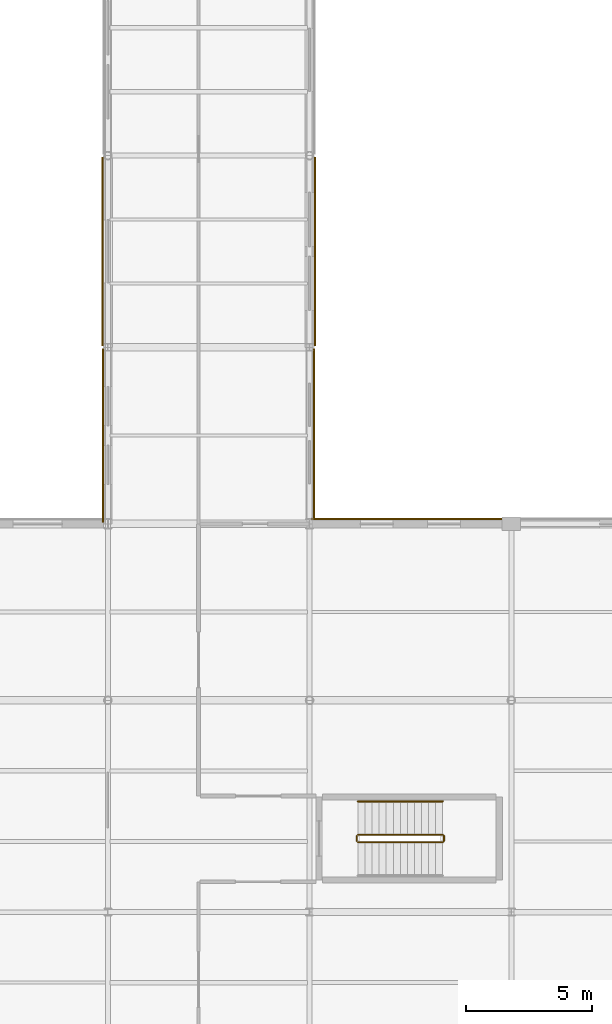
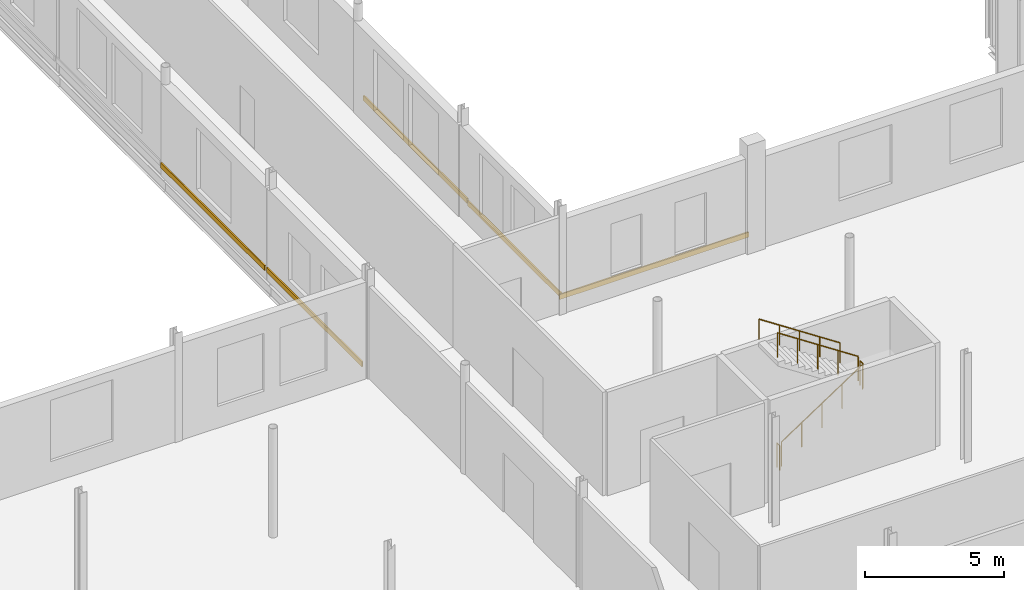
# One storey, part 112 of 120: 5 coverings, 5 railings.
"""IFC4 building model written with IfcOpenShell, lengths in metres."""

from ifc_helpers import new_model, si_unit, direction, frame, origin, origin_2d, place, context, subcontext, project, spatial, rectangle, circle, extrude, material, layer, layer_set, type_object, element, save


model = new_model("IFC4")

# Units and contexts
model_context = context("Model", 3, precision=1e-05, world=origin(), true_north=direction((0.0, 1.0)))
body_context = subcontext(model_context, "Body", "Model", "MODEL_VIEW")
ifc_project = project(units=[si_unit("LENGTHUNIT", "METRE"), si_unit("AREAUNIT", "SQUARE_METRE"), si_unit("VOLUMEUNIT", "CUBIC_METRE"), si_unit("PLANEANGLEUNIT", "RADIAN"), si_unit("MASSUNIT", "GRAM", prefix="KILO")], contexts=[model_context])

# Site, building, storey
site_placement = place(None, origin())
site = spatial("IfcSite", under=ifc_project, at=site_placement, CompositionType="ELEMENT")
building_placement = place(site_placement, origin())
building = spatial("IfcBuilding", under=site, at=building_placement, Name="Vekula Escarpment Museum", CompositionType="ELEMENT")
storey_placement = place(building_placement, frame((0.0, 0.0, 13.199951171875)))
storey = spatial("IfcBuildingStorey", under=building, at=storey_placement, Name="L03", CompositionType="ELEMENT", Elevation=13.199951171875)

# Coverings
ifc_material_1 = material(Name="Polychrome limestone almasik string-course band", Category="masonry")
ifc_layer = layer(ifc_material_1, 0.06005859375)
ifc_layer_set = layer_set([ifc_layer], Name="Polychrome limestone almasik string-course band")
covering_type = type_object("IfcCoveringType", Name="COV-ALM-BAND", PredefinedType="CLADDING", material=ifc_layer_set)
covering_1_placement = place(storey_placement, frame((52.0, 83.5859375, 0.41015625), z_axis=(0.0, 0.0, 1.0), x_axis=(1.0, 0.0, 0.0)))
element("IfcCovering", 1, at=covering_1_placement, inside=storey, type_object=covering_type, Name="Almasik Stone String Course L03-0538", PredefinedType="CLADDING", context=body_context, shape_type="SweptSolid", body=[
    extrude(rectangle(XDim=7.8798828125, YDim=0.06005859375, at=origin_2d()), origin(), (0.0, 0.0, 1.0), 0.219970703125),
])
covering_2_placement = place(storey_placement, frame((48.176025390625, 86.98193359375, 0.41015625), z_axis=(0.0, 0.0, 1.0), x_axis=(0.0, 1.0, 0.0)))
element("IfcCovering", 2, at=covering_2_placement, inside=storey, type_object=covering_type, Name="Almasik Stone String Course L03-0539", PredefinedType="CLADDING", context=body_context, shape_type="SweptSolid", body=[
    extrude(rectangle(XDim=6.716064453125, YDim=0.06005859375, at=origin_2d()), origin(), (0.0, 0.0, 1.0), 0.219970703125),
])
for number, where, z_axis, x_axis, name in (
    (3, (48.216064453125, 94.199951171875, 0.41015625), (0.0, 0.0, 1.0), (0.0, 1.0, 0.0), "Almasik Stone String Course L03-0540"),
    (4, (39.783935546875, 94.199951171875, 0.41015625), (0.0, 0.0, 1.0), (0.0, 1.0, 0.0), "Almasik Stone String Course L03-0563"),
):
    element("IfcCovering", number, at=place(storey_placement, frame(where, z_axis=z_axis, x_axis=x_axis)), inside=storey, type_object=covering_type, Name=name, PredefinedType="CLADDING", context=body_context, shape_type="SweptSolid", body=[
        extrude(rectangle(XDim=7.47998046875, YDim=0.06005859375, at=origin_2d()), origin(), (0.0, 0.0, 1.0), 0.219970703125),
    ])
covering_3_placement = place(storey_placement, frame((39.799072265625, 86.89990234375, 0.41015625), z_axis=(0.0, 0.0, 1.0), x_axis=(0.0, 1.0, 0.0)))
element("IfcCovering", 5, at=covering_3_placement, inside=storey, type_object=covering_type, Name="Almasik Stone String Course L03-0564", PredefinedType="CLADDING", context=body_context, shape_type="SweptSolid", body=[
    extrude(rectangle(XDim=6.8798828125, YDim=0.06005859375, at=origin_2d()), origin(), (0.0, 0.0, 1.0), 0.219970703125),
])

# Railings
ifc_material_2 = material(Name="Painted Steel S355 stair guard", Category="steel")
railing_type_1 = type_object("IfcRailingType", Name="RL-STAIR-GUARD", PredefinedType="GUARDRAIL", material=ifc_material_2)
railing_1_placement = place(storey_placement, frame((49.919921875, 70.77001953125, 0.1845703125)))
element("IfcRailing", 6, at=railing_1_placement, inside=storey, type_object=railing_type_1, Name="L03 ST-10 stair guard 1", PredefinedType="GUARDRAIL", context=body_context, shape_type="SweptSolid", body=[
    extrude(circle(Radius=0.02392578125, at=origin_2d()), frame((0.0, 0.0, 1.076171875), z_axis=(0.834848600103, 0.0, 0.550479622607), x_axis=(0.0, 1.0, 0.0)), (0.0, 0.0, 1.0), 4.02490234375),
    extrude(circle(Radius=0.02099609375, at=origin_2d()), origin(), (0.0, 0.0, 1.0), 1.052001953125),
    extrude(circle(Radius=0.02099609375, at=origin_2d()), frame((0.840087890625, 0.0, 0.553955078125)), (0.0, 0.0, 1.0), 1.052001953125),
    extrude(circle(Radius=0.02099609375, at=origin_2d()), frame((1.68017578125, 0.0, 1.10791015625)), (0.0, 0.0, 1.0), 1.052001953125),
    extrude(circle(Radius=0.02099609375, at=origin_2d()), frame((2.52001953125, 0.0, 1.66162109375)), (0.0, 0.0, 1.0), 1.052001953125),
    extrude(circle(Radius=0.02099609375, at=origin_2d()), frame((3.360107421875, 0.0, 2.215576171875)), (0.0, 0.0, 1.0), 1.052001953125),
])
railing_2_placement = place(storey_placement, frame((53.330078125, 70.820068359375, 2.400146484375)))
element("IfcRailing", 7, at=railing_2_placement, inside=storey, type_object=railing_type_1, Name="L03 ST-10 stair guard 2", PredefinedType="GUARDRAIL", context=body_context, shape_type="SweptSolid", body=[
    extrude(circle(Radius=0.02392578125, at=origin_2d()), frame((0.0, 0.0, 1.076171875), z_axis=(0.0, 1.0, 0.0), x_axis=(-1.0, 0.0, 0.0)), (0.0, 0.0, 1.0), 0.199951171875),
    extrude(circle(Radius=0.02099609375, at=origin_2d()), origin(), (0.0, 0.0, 1.0), 1.052001953125),
    extrude(circle(Radius=0.02099609375, at=origin_2d()), frame((0.0, 0.199951171875, 0.0)), (0.0, 0.0, 1.0), 1.052001953125),
])
railing_3_placement = place(storey_placement, frame((53.280029296875, 71.070068359375, 2.584716796875)))
element("IfcRailing", 8, at=railing_3_placement, inside=storey, type_object=railing_type_1, Name="L03 ST-10 stair guard 3", PredefinedType="GUARDRAIL", context=body_context, shape_type="SweptSolid", body=[
    extrude(circle(Radius=0.02392578125, at=origin_2d()), frame((0.0, 0.0, 1.076171875), z_axis=(-0.834876476806, 0.0, 0.550437342915), x_axis=(0.0, -1.0, 0.0)), (0.0, 0.0, 1.0), 4.024658203125),
    extrude(circle(Radius=0.02099609375, at=origin_2d()), origin(), (0.0, 0.0, 1.0), 1.052001953125),
    extrude(circle(Radius=0.02099609375, at=origin_2d()), frame((-0.840087890625, 0.0, 0.5537109375)), (0.0, 0.0, 1.0), 1.052001953125),
    extrude(circle(Radius=0.02099609375, at=origin_2d()), frame((-1.68017578125, 0.0, 1.107666015625)), (0.0, 0.0, 1.0), 1.052001953125),
    extrude(circle(Radius=0.02099609375, at=origin_2d()), frame((-2.52001953125, 0.0, 1.66162109375)), (0.0, 0.0, 1.0), 1.052001953125),
    extrude(circle(Radius=0.02099609375, at=origin_2d()), frame((-3.360107421875, 0.0, 2.21533203125)), (0.0, 0.0, 1.0), 1.052001953125),
])
railing_4_placement = place(storey_placement, frame((49.8701171875, 70.820068359375, 0.0)))
element("IfcRailing", 9, at=railing_4_placement, inside=storey, type_object=railing_type_1, Name="L03 ST-10 stair guard 4", PredefinedType="GUARDRAIL", context=body_context, shape_type="SweptSolid", body=[
    extrude(circle(Radius=0.02392578125, at=origin_2d()), frame((0.0, 0.0, 1.076171875), z_axis=(0.0, 1.0, 0.0), x_axis=(-1.0, 0.0, 0.0)), (0.0, 0.0, 1.0), 0.199951171875),
    extrude(circle(Radius=0.02099609375, at=origin_2d()), origin(), (0.0, 0.0, 1.0), 1.052001953125),
    extrude(circle(Radius=0.02099609375, at=origin_2d()), frame((0.0, 0.199951171875, 0.0)), (0.0, 0.0, 1.0), 1.052001953125),
])
ifc_material_3 = material(Name="Brushed stainless steel handrail", Category="steel")
railing_type_2 = type_object("IfcRailingType", Name="RL-STAIR-HAND", PredefinedType="HANDRAIL", material=ifc_material_3)
railing_5_placement = place(storey_placement, frame((53.280029296875, 72.389892578125, 2.584716796875)))
element("IfcRailing", 10, at=railing_5_placement, inside=storey, type_object=railing_type_2, Name="L03 ST-10 stair handrail 2", PredefinedType="HANDRAIL", context=body_context, shape_type="SweptSolid", body=[
    extrude(circle(Radius=0.02392578125, at=origin_2d()), frame((0.0, 0.0, 0.8759765625), z_axis=(-0.834876476806, 0.0, 0.550437342915), x_axis=(0.0, -1.0, 0.0)), (0.0, 0.0, 1.0), 4.024658203125),
    extrude(circle(Radius=0.02099609375, at=origin_2d()), origin(), (0.0, 0.0, 1.0), 0.851806640625),
    extrude(circle(Radius=0.02099609375, at=origin_2d()), frame((-0.840087890625, 0.0, 0.5537109375)), (0.0, 0.0, 1.0), 0.851806640625),
    extrude(circle(Radius=0.02099609375, at=origin_2d()), frame((-1.68017578125, 0.0, 1.107666015625)), (0.0, 0.0, 1.0), 0.851806640625),
    extrude(circle(Radius=0.02099609375, at=origin_2d()), frame((-2.52001953125, 0.0, 1.66162109375)), (0.0, 0.0, 1.0), 0.851806640625),
    extrude(circle(Radius=0.02099609375, at=origin_2d()), frame((-3.360107421875, 0.0, 2.21533203125)), (0.0, 0.0, 1.0), 0.851806640625),
])

save(model, "model.ifc")
